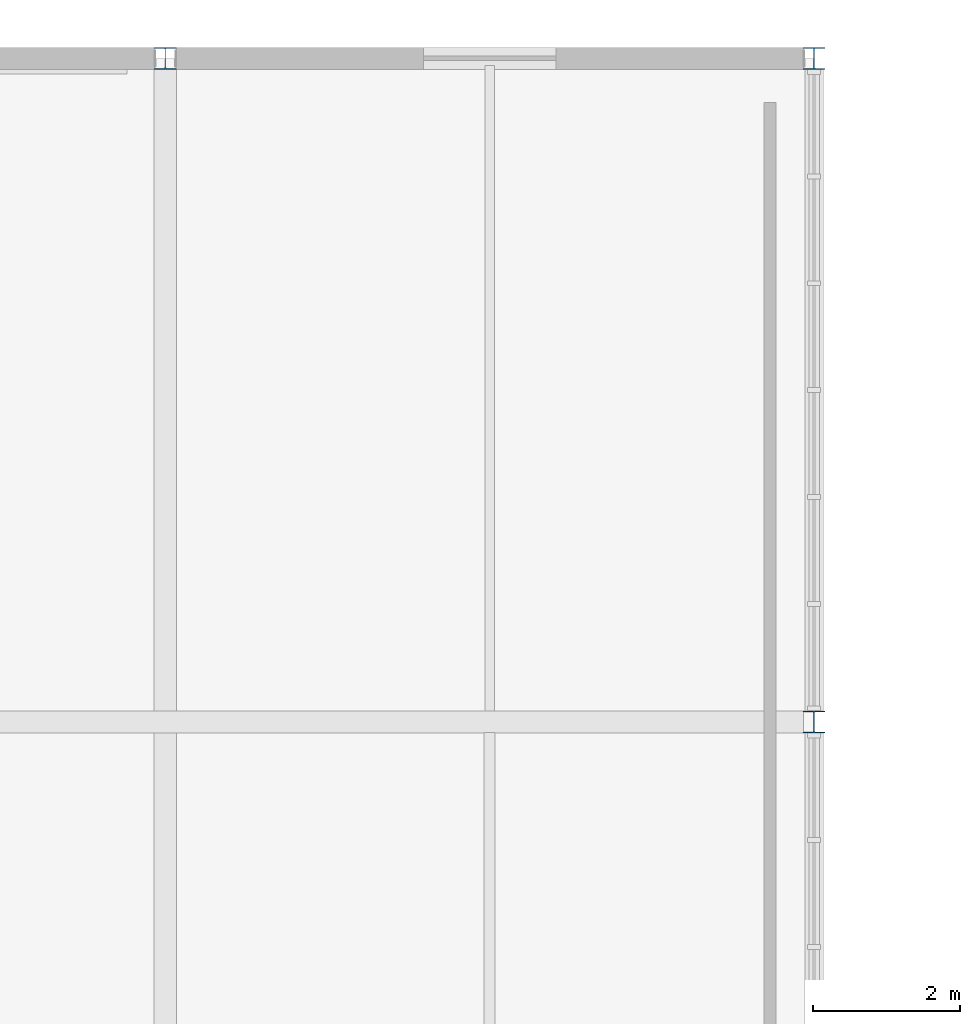
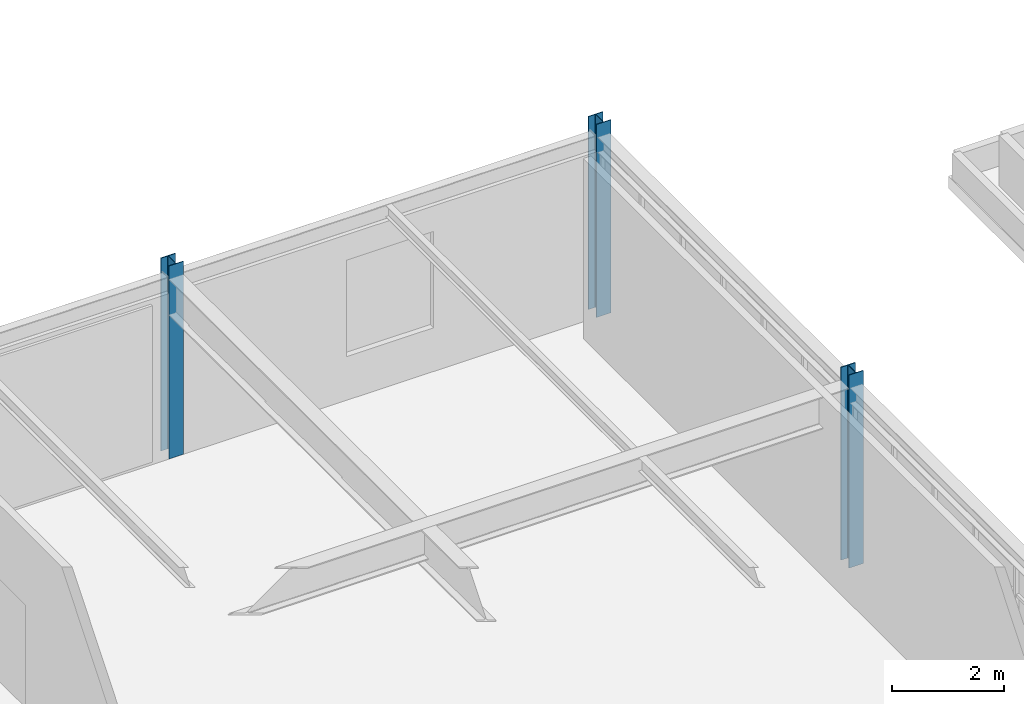
# One storey, part 7 of 88: 3 columns.
"""IFC4 building model written with IfcOpenShell, lengths in metres."""

import ifcopenshell
import ifcopenshell.guid

model = None  # the IFC model being written
_history = None  # IfcOwnerHistory: only IFC2X3 demands one
_inside = {}  # id of a spatial element -> (the spatial element, [elements in it])
_under = {}  # id of a project, library or spatial element -> (it, [spatial elements below it])
_declared = {}  # id of a project -> (the project, [libraries it declares])
_typed = {}  # id of a type object -> (the type object, [elements of that type])
_made_of = {}  # id of a material, layer set ... -> (it, [elements and type objects made of it])


def new_model(schema):
    """Start an empty IFC model of exactly this schema.

    Asked for "IFC4X3", IfcOpenShell would pick the latest addendum, in which some entities
    have other attributes; the version numbers below select the first issue.
    IFC2X3 requires an IfcOwnerHistory on every rooted entity: one is made here for all.
    """
    global model, _history
    if schema == "IFC4X3":
        model = ifcopenshell.file(schema_version=(4, 3, 0, 0))
    else:
        model = ifcopenshell.file(schema=schema)
    _inside.clear()
    _under.clear()
    _declared.clear()
    _typed.clear()
    _made_of.clear()
    _history = None
    if model.schema == "IFC2X3":
        org = make("IfcOrganization", Name="unknown")
        user = make(
            "IfcPersonAndOrganization",
            ThePerson=make("IfcPerson", FamilyName="unknown"),
            TheOrganization=org,
        )
        app = make(
            "IfcApplication",
            ApplicationDeveloper=org,
            Version="unknown",
            ApplicationFullName="unknown",
            ApplicationIdentifier="unknown",
        )
        _history = make(
            "IfcOwnerHistory",
            OwningUser=user,
            OwningApplication=app,
            ChangeAction="ADDED",
            CreationDate=0,
        )
    return model


def make(cls, **values):
    """One entity of the class cls with the attributes given. An attribute that is None is left unset."""
    return model.create_entity(
        cls, **{name: value for name, value in values.items() if value is not None}
    )


def rooted(cls, **values):
    """An entity with a GlobalId (a new one), such as an element, a storey or a relation."""
    return make(cls, GlobalId=ifcopenshell.guid.new(), OwnerHistory=_history, **values)


def si_unit(unit_type, name, prefix=None):
    """IfcSIUnit, for example si_unit("LENGTHUNIT", "METRE", prefix="MILLI")."""
    return make("IfcSIUnit", UnitType=unit_type, Prefix=prefix, Name=name)


def assignment(units):
    """IfcUnitAssignment: the units of a project."""
    return None if units is None else make("IfcUnitAssignment", Units=units)


def point(xyz):
    """IfcCartesianPoint."""
    return None if xyz is None else make("IfcCartesianPoint", Coordinates=xyz)


def direction(xyz):
    """IfcDirection."""
    return None if xyz is None else make("IfcDirection", DirectionRatios=xyz)


def frame(location, z_axis=None, x_axis=None):
    """IfcAxis2Placement3D, a coordinate frame: its origin and axes. An axis left out is left unset."""
    return make(
        "IfcAxis2Placement3D",
        Location=point(location),
        Axis=direction(z_axis),
        RefDirection=direction(x_axis),
    )


def frame_2d(location, x_axis=None):
    """IfcAxis2Placement2D, a coordinate frame in the plane: its origin and x axis."""
    return make(
        "IfcAxis2Placement2D", Location=point(location), RefDirection=direction(x_axis)
    )


def origin():
    """The frame at (0, 0, 0) with its axes left unset."""
    return frame((0.0, 0.0, 0.0))


def origin_2d():
    """The frame at (0, 0) in the plane with its x axis left unset."""
    return frame_2d((0.0, 0.0))


def place(relative_to, where):
    """IfcLocalPlacement: puts the frame where relative to a parent placement (None: the world)."""
    return make(
        "IfcLocalPlacement", PlacementRelTo=relative_to, RelativePlacement=where
    )


def context(
    kind, dimensions, precision=None, world=None, true_north=None, identifier=None
):
    """IfcGeometricRepresentationContext, for example the 3D "Model" context."""
    return make(
        "IfcGeometricRepresentationContext",
        ContextIdentifier=identifier,
        ContextType=kind,
        CoordinateSpaceDimension=dimensions,
        Precision=precision,
        WorldCoordinateSystem=world,
        TrueNorth=true_north,
    )


def subcontext(parent, identifier, kind, view, scale=None):
    """IfcGeometricRepresentationSubContext, for example "Body" below "Model"."""
    return make(
        "IfcGeometricRepresentationSubContext",
        ContextIdentifier=identifier,
        ContextType=kind,
        ParentContext=parent,
        TargetScale=scale,
        TargetView=view,
    )


def project(units=None, contexts=None):
    """IfcProject with its units and contexts."""
    return rooted(
        "IfcProject",
        Name="project",
        RepresentationContexts=contexts,
        UnitsInContext=assignment(units),
    )


def spatial(cls, under=None, at=None, **own):
    """A site, building, storey or space (cls), placed at a placement, below another one or the project."""
    s = rooted(cls, ObjectPlacement=at, **own)
    if under is not None:
        _under.setdefault(under.id(), (under, []))[1].append(s)
    return s


def profile(cls, at=None, kind="AREA", **sizes):
    """A parametric profile (cls). Its sizes go by their IFC names, for example OverallWidth=200.0."""
    return make(cls, ProfileType=kind, Position=at, **sizes)


def i_section(**sizes):
    """IfcIShapeProfileDef."""
    return profile("IfcIShapeProfileDef", **sizes)


def extrude(swept, where, along, depth):
    """IfcExtrudedAreaSolid: the profile swept, set in the frame where, extruded along a direction by depth."""
    return make(
        "IfcExtrudedAreaSolid",
        SweptArea=swept,
        Position=where,
        ExtrudedDirection=direction(along),
        Depth=depth,
    )


def shape(context_of_items, identifier, shape_type, items):
    """IfcShapeRepresentation: the items that make up one representation, for example the "Body"."""
    return make(
        "IfcShapeRepresentation",
        ContextOfItems=context_of_items,
        RepresentationIdentifier=identifier,
        RepresentationType=shape_type,
        Items=items,
    )


def material(Name=None, Category=None):
    """IfcMaterial."""
    return make("IfcMaterial", Name=Name, Category=Category)


def material_profile(
    of_material, cross_section, Name=None, Category=None, Priority=None
):
    """IfcMaterialProfile: a cross section and its material."""
    return make(
        "IfcMaterialProfile",
        Name=Name,
        Material=of_material,
        Profile=cross_section,
        Priority=Priority,
        Category=Category,
    )


def profile_set(profiles, Name=None, composite=None):
    """IfcMaterialProfileSet."""
    return make(
        "IfcMaterialProfileSet",
        Name=Name,
        MaterialProfiles=profiles,
        CompositeProfile=composite,
    )


def made_of(thing, what):
    """Note that an element or type object is made of a material, layer set ...; save() writes the relation."""
    if what is not None:
        _made_of.setdefault(what.id(), (what, []))[1].append(thing)
    return thing


def type_object(cls, material=None, **own):
    """A type object (cls), such as IfcWallType, which elements share."""
    return made_of(rooted(cls, **own), material)


def element(
    cls,
    number,
    at=None,
    inside=None,
    cuts=None,
    type_object=None,
    material=None,
    context=None,
    identifier="Body",
    shape_type=None,
    held_by="IfcProductDefinitionShape",
    body=None,
    shapes=None,
    **own,
):
    """One element of the class cls, such as IfcWall. Its Tag is "e" and its number.

    at: its placement. inside: the storey or other place that contains it. cuts: it is an
    opening in that element (IfcRelVoidsElement). A single representation is given by context,
    identifier, shape_type and body (its items); several are given by shapes. held_by: the class
    of the entity that holds the representations. save() writes the other relations.
    """
    e = rooted(cls, Tag="e%d" % number, ObjectPlacement=at, **own)
    if body is not None:
        shapes = [shape(context, identifier, shape_type, body)]
    if shapes is not None:
        e.Representation = make(held_by, Representations=shapes)
    if inside is not None:
        _inside.setdefault(inside.id(), (inside, []))[1].append(e)
    if cuts is not None:
        rooted(
            "IfcRelVoidsElement", RelatingBuildingElement=cuts, RelatedOpeningElement=e
        )
    if type_object is not None:
        _typed.setdefault(type_object.id(), (type_object, []))[1].append(e)
    return made_of(e, material)


def aggregate(whole, parts):
    """IfcRelAggregates: a whole, such as a stair, and the parts it consists of."""
    return rooted("IfcRelAggregates", RelatingObject=whole, RelatedObjects=parts)


def save(model, path):
    """Write the relations noted so far, then the file.

    IfcRelAggregates (storeys below a building ...), IfcRelContainedInSpatialStructure (elements
    in a storey), IfcRelDefinesByType, IfcRelAssociatesMaterial and IfcRelDeclares: one each for
    every whole, place, type object, material and project.
    """
    for whole, parts in _under.values():
        aggregate(whole, parts)
    for where, things in _inside.values():
        rooted(
            "IfcRelContainedInSpatialStructure",
            RelatedElements=things,
            RelatingStructure=where,
        )
    for kind, things in _typed.values():
        rooted("IfcRelDefinesByType", RelatedObjects=things, RelatingType=kind)
    for what, things in _made_of.values():
        rooted("IfcRelAssociatesMaterial", RelatedObjects=things, RelatingMaterial=what)
    for by, libraries in _declared.values():
        rooted("IfcRelDeclares", RelatingContext=by, RelatedDefinitions=libraries)
    model.write(path)


model = new_model("IFC4")

# Units and contexts
model_context = context("Model", 3, precision=1e-05, world=origin(), true_north=direction((0.0, 1.0)))
body_context = subcontext(model_context, "Body", "Model", "MODEL_VIEW")
ifc_project = project(units=[si_unit("LENGTHUNIT", "METRE"), si_unit("AREAUNIT", "SQUARE_METRE"), si_unit("VOLUMEUNIT", "CUBIC_METRE"), si_unit("PLANEANGLEUNIT", "RADIAN"), si_unit("MASSUNIT", "GRAM", prefix="KILO")], contexts=[model_context])

# Site, building, storey
site_placement = place(None, origin())
site = spatial("IfcSite", under=ifc_project, at=site_placement, CompositionType="ELEMENT")
building_placement = place(site_placement, origin())
building = spatial("IfcBuilding", under=site, at=building_placement, Name="Zhaolan Boulevard Law Courts", CompositionType="ELEMENT")
storey_placement = place(building_placement, frame((0.0, 0.0, 16.199951171875)))
storey = spatial("IfcBuildingStorey", under=building, at=storey_placement, Name="L03", CompositionType="ELEMENT", Elevation=16.199951171875)

# Columns
ifc_material = material(Name="Structural steel Q355B", Category="steel")
ifc_material_profile = material_profile(ifc_material, i_section(OverallWidth=0.300048828125, OverallDepth=0.300048828125, WebThickness=0.010009765625, FlangeThickness=0.014892578125, FilletRadius=0.01806640625, at=origin_2d()), Name="HW300x300")
ifc_profile_set = profile_set([ifc_material_profile], Name="Structural steel Q355B")
column_type = type_object("IfcColumnType", Name="COL HW300", PredefinedType="COLUMN", material=ifc_profile_set)
for number, where, z_axis, x_axis, name in (
    (1, (35.199951171875, 112.0, 0.0), (0.0, 0.0, 1.0), (1.0, 0.0, 0.0), "Column C-5Q (L03)"),
    (2, (44.0, 103.0, 0.0), (0.0, 0.0, 1.0), (1.0, 0.0, 0.0), "Column C-6P (L03)"),
    (3, (44.0, 112.0, 0.0), (0.0, 0.0, 1.0), (1.0, 0.0, 0.0), "Column C-6Q (L03)"),
):
    element("IfcColumn", number, at=place(storey_placement, frame(where, z_axis=z_axis, x_axis=x_axis)), inside=storey, type_object=column_type, Name=name, PredefinedType="COLUMN", context=body_context, shape_type="SweptSolid", body=[
        extrude(i_section(OverallWidth=0.300048828125, OverallDepth=0.300048828125, WebThickness=0.010009765625, FlangeThickness=0.014892578125, FilletRadius=0.01806640625, at=origin_2d()), origin(), (0.0, 0.0, 1.0), 4.199951171875),
    ])

save(model, "model.ifc")
